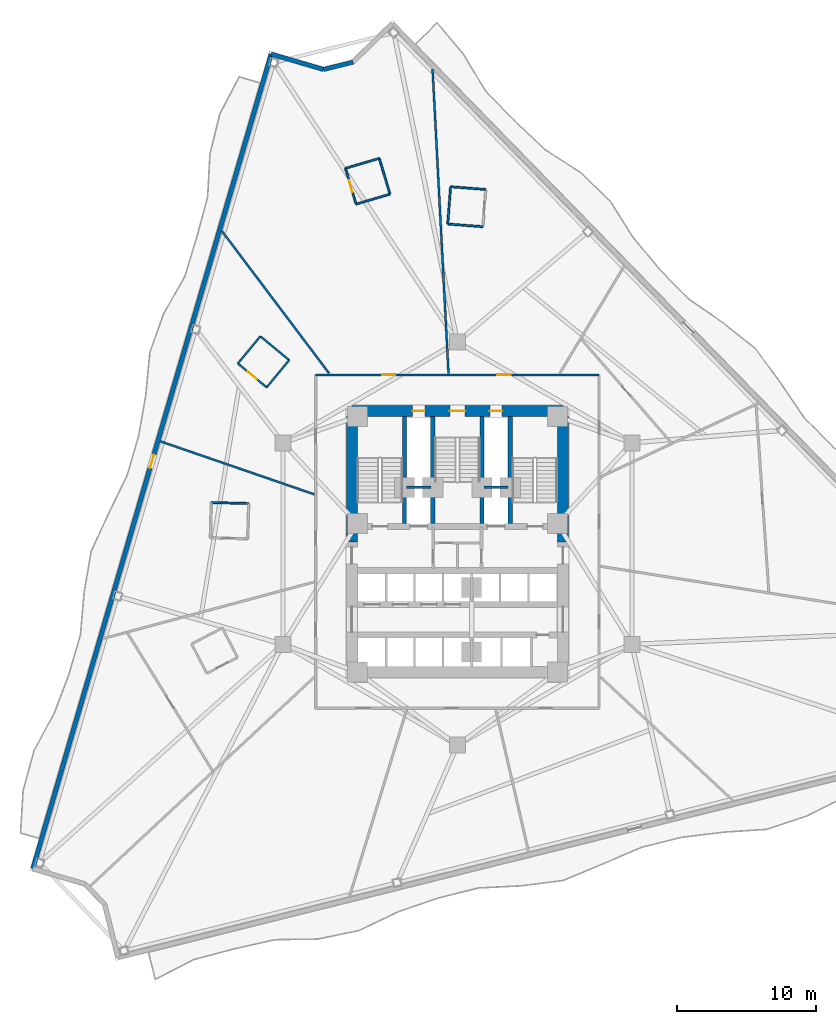
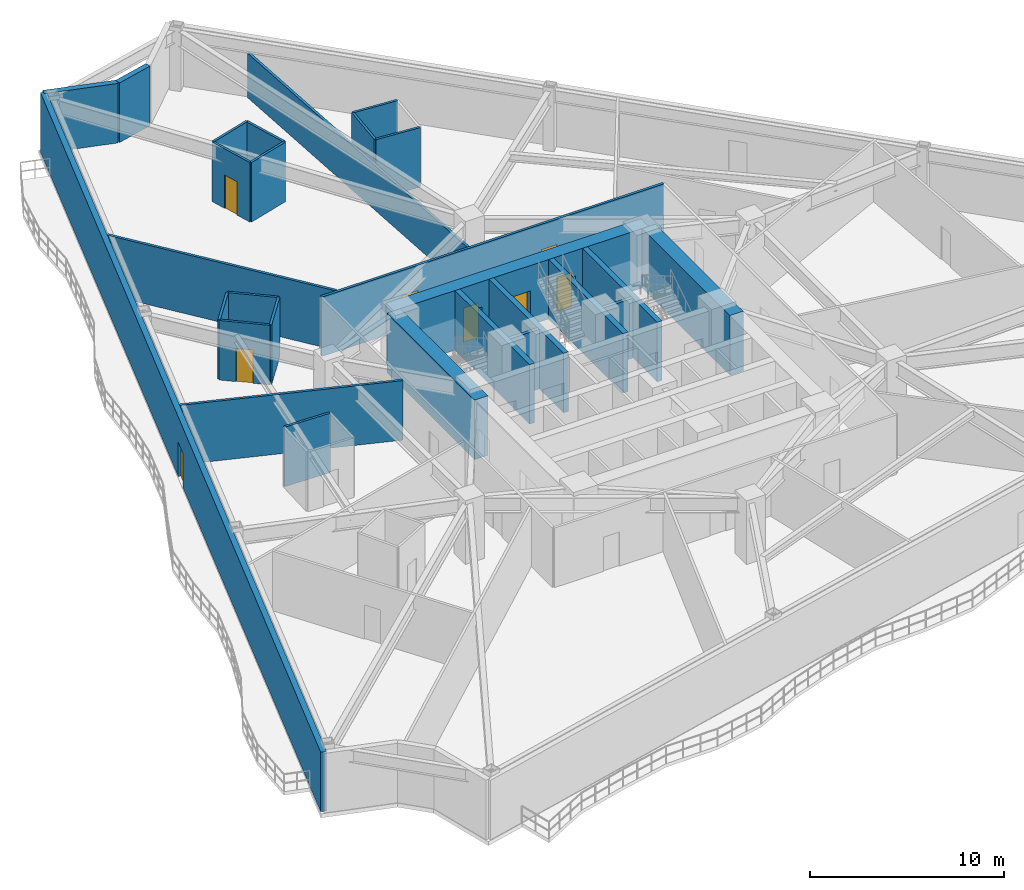
# One storey, part 5 of 10: 28 walls, 8 doors, 8 openings.
"""IFC4 building model written with IfcOpenShell, lengths in metres."""

from ifc_helpers import new_model, si_unit, direction, frame, frame_2d, origin, place, context, subcontext, project, spatial, rectangle, extrude, material, layer, layer_set, type_object, element, fill, save


model = new_model("IFC4")

# Units and contexts
model_context = context("Model", 3, precision=1e-05, world=origin(), true_north=direction((0.0, 1.0)))
body_context = subcontext(model_context, "Body", "Model", "MODEL_VIEW")
ifc_project = project(units=[si_unit("LENGTHUNIT", "METRE"), si_unit("AREAUNIT", "SQUARE_METRE"), si_unit("VOLUMEUNIT", "CUBIC_METRE"), si_unit("PLANEANGLEUNIT", "RADIAN"), si_unit("MASSUNIT", "GRAM", prefix="KILO")], contexts=[model_context])

# Site, building, storey
site_placement = place(None, origin())
site = spatial("IfcSite", under=ifc_project, at=site_placement, CompositionType="ELEMENT")
building_placement = place(site_placement, origin())
building = spatial("IfcBuilding", under=site, at=building_placement, Name="Apsidion Concourse Tower", CompositionType="ELEMENT")
storey_placement = place(building_placement, frame((0.0, 0.0, 107.0)))
storey = spatial("IfcBuildingStorey", under=building, at=storey_placement, Name="L24", CompositionType="ELEMENT", Elevation=107.0)

# Wall, opening, door
ifc_material_1 = material(Name="Precast concrete C40/50", Category="concrete")
ifc_layer_1 = layer(ifc_material_1, 0.320068359375)
ifc_layer_set_1 = layer_set([ifc_layer_1], Name="Precast concrete C40/50")
wall_type_1 = type_object("IfcWallType", Name="WL-EXT-320", PredefinedType="STANDARD", material=ifc_layer_set_1)
wall_1_placement = place(storey_placement, frame((-30.55908203125, -23.389404296875, 0.0), z_axis=(0.0, 0.0, 1.0), x_axis=(0.280769703207, 0.95977516834, 0.0)))
wall_1 = element("IfcWall", 1, at=wall_1_placement, inside=storey, type_object=wall_type_1, Name="L24 Precast Stone Facade Wall 09", PredefinedType="STANDARD", context=body_context, shape_type="SweptSolid", body=[
    extrude(rectangle(XDim=61.07568359375, YDim=0.320068359375, at=frame_2d((30.537841796875, 0.0))), origin(), (0.0, 0.0, 1.0), 3.75),
])
opening_1_placement = place(wall_1_placement, frame((30.037841796875, 0.0, 0.0)))
opening_1 = element("IfcOpeningElement", 2, at=opening_1_placement, cuts=wall_1, Name="Opening D-T1L", PredefinedType="OPENING", context=body_context, shape_type="SweptSolid", body=[
    extrude(rectangle(XDim=1.0, YDim=2.14990234375, at=frame_2d((0.5, 1.074951171875))), frame((0.0, 0.169921875, 0.0), z_axis=(0.0, -1.0, 0.0), x_axis=(1.0, 0.0, 0.0)), (0.0, 0.0, 1.0), 0.340087890625),
])
ifc_material_2 = material(Name="Anodised aluminium EN AW-6063 T6", Category="aluminium")
door_type_1 = type_object("IfcDoorType", Name="DR-TER-1022L", OperationType="SINGLE_SWING_LEFT", PredefinedType="DOOR", material=ifc_material_2)
door_1_placement = place(opening_1_placement, origin())
door_1 = element("IfcDoor", 3, at=door_1_placement, inside=storey, type_object=door_type_1, Name="L24 Balcony Access Door 1", OperationType="SINGLE_SWING_LEFT", OverallHeight=2.14990234375, OverallWidth=1.0, PredefinedType="DOOR", context=body_context, shape_type="SweptSolid", body=[
    extrude(rectangle(XDim=1.0, YDim=2.14990234375, at=frame_2d((0.5, 1.074951171875))), frame((0.0, 0.02490234375, 0.0), z_axis=(0.0, -1.0, 0.0), x_axis=(1.0, 0.0, 0.0)), (0.0, 0.0, 1.0), 0.050048828125),
])
fill(opening_1, door_1)

# Walls
wall_2_placement = place(storey_placement, frame((-13.410888671875, 35.2294921875, 0.0), z_axis=(0.0, 0.0, 1.0), x_axis=(0.959788404321, -0.280724453747, 0.0)))
element("IfcWall", 4, at=wall_2_placement, inside=storey, type_object=wall_type_1, Name="L24 Precast Stone Facade Wall 10", PredefinedType="STANDARD", context=body_context, shape_type="SweptSolid", body=[
    extrude(rectangle(XDim=3.93359375, YDim=0.320068359375, at=frame_2d((1.966796875, 0.0))), origin(), (0.0, 0.0, 1.0), 3.75),
])
wall_3_placement = place(storey_placement, frame((-9.635498046875, 34.125244140625, 0.0), z_axis=(0.0, 0.0, 1.0), x_axis=(0.970306423964, 0.241878985475, 0.0)))
element("IfcWall", 5, at=wall_3_placement, inside=storey, type_object=wall_type_1, Name="L24 Precast Stone Facade Wall 11", PredefinedType="STANDARD", context=body_context, shape_type="SweptSolid", body=[
    extrude(rectangle(XDim=2.187255859375, YDim=0.320068359375, at=frame_2d((1.09375, 0.0))), origin(), (0.0, 0.0, 1.0), 3.75),
])
ifc_material_3 = material(Name="Gypsum plasterboard partition")
ifc_layer_2 = layer(ifc_material_3, 0.139892578125)
ifc_layer_set_2 = layer_set([ifc_layer_2], Name="Gypsum plasterboard partition")
wall_type_2 = type_object("IfcWallType", Name="WL-INT-PAR-140", PredefinedType="PARTITIONING", material=ifc_layer_set_2)
wall_4_placement = place(storey_placement, frame((2.04052734375, 25.48828125, 0.0), z_axis=(0.0, 0.0, 1.0), x_axis=(-0.997046564476, 0.076799402778, 0.0)))
element("IfcWall", 6, at=wall_4_placement, inside=storey, type_object=wall_type_2, Name="L24 Interior Partition WL-L24-POD-ENS07-S2", PredefinedType="PARTITIONING", context=body_context, shape_type="SweptSolid", body=[
    extrude(rectangle(XDim=2.5400390625, YDim=0.139892578125, at=frame_2d((1.27001953125, 0.0))), origin(), (0.0, 0.0, 1.0), 3.75),
])
wall_5_placement = place(storey_placement, frame((-0.491943359375, 25.683349609375, 0.0), z_axis=(0.0, 0.0, 1.0), x_axis=(-0.076689558651, -0.997055019341, 0.0)))
element("IfcWall", 7, at=wall_5_placement, inside=storey, type_object=wall_type_2, Name="L24 Interior Partition WL-L24-POD-ENS07-S3", PredefinedType="PARTITIONING", context=body_context, shape_type="SweptSolid", body=[
    extrude(rectangle(XDim=2.68994140625, YDim=0.139892578125, at=frame_2d((1.344970703125, 0.0))), origin(), (0.0, 0.0, 1.0), 3.75),
])
wall_6_placement = place(storey_placement, frame((-0.6982421875, 23.001220703125, 0.0), z_axis=(0.0, 0.0, 1.0), x_axis=(0.997053920062, -0.076703849244, 0.0)))
element("IfcWall", 8, at=wall_6_placement, inside=storey, type_object=wall_type_2, Name="L24 Interior Partition WL-L24-POD-ENS07-S4", PredefinedType="PARTITIONING", context=body_context, shape_type="SweptSolid", body=[
    extrude(rectangle(XDim=2.5400390625, YDim=0.139892578125, at=frame_2d((1.27001953125, 0.0))), origin(), (0.0, 0.0, 1.0), 3.75),
])
wall_7_placement = place(storey_placement, frame((-4.85888671875, 25.152587890625, 0.0), z_axis=(0.0, 0.0, 1.0), x_axis=(-0.283973996327, 0.958831981846, 0.0)))
element("IfcWall", 9, at=wall_7_placement, inside=storey, type_object=wall_type_2, Name="L24 Interior Partition WL-L24-POD-ENS08-S1", PredefinedType="PARTITIONING", context=body_context, shape_type="SweptSolid", body=[
    extrude(rectangle(XDim=2.690185546875, YDim=0.139892578125, at=frame_2d((1.34521484375, 0.0))), origin(), (0.0, 0.0, 1.0), 3.75),
])
wall_8_placement = place(storey_placement, frame((-5.622802734375, 27.73193359375, 0.0), z_axis=(0.0, 0.0, 1.0), x_axis=(-0.95881265696, -0.284039238227, 0.0)))
element("IfcWall", 10, at=wall_8_placement, inside=storey, type_object=wall_type_2, Name="L24 Interior Partition WL-L24-POD-ENS08-S2", PredefinedType="PARTITIONING", context=body_context, shape_type="SweptSolid", body=[
    extrude(rectangle(XDim=2.539794921875, YDim=0.139892578125, at=frame_2d((1.27001953125, 0.0))), origin(), (0.0, 0.0, 1.0), 3.75),
])

# Wall, opening, door
wall_9_placement = place(storey_placement, frame((-8.05810546875, 27.010498046875, 0.0), z_axis=(0.0, 0.0, 1.0), x_axis=(0.283973996327, -0.958831981846, 0.0)))
wall_9 = element("IfcWall", 11, at=wall_9_placement, inside=storey, type_object=wall_type_2, Name="L24 Interior Partition WL-L24-POD-ENS08-S3", PredefinedType="PARTITIONING", context=body_context, shape_type="SweptSolid", body=[
    extrude(rectangle(XDim=2.690185546875, YDim=0.139892578125, at=frame_2d((1.34521484375, 0.0))), origin(), (0.0, 0.0, 1.0), 3.75),
])
opening_2_placement = place(wall_9_placement, frame((0.905029296875, 0.0, 0.0)))
opening_2 = element("IfcOpeningElement", 12, at=opening_2_placement, cuts=wall_9, Name="Opening D-03L", PredefinedType="OPENING", context=body_context, shape_type="SweptSolid", body=[
    extrude(rectangle(XDim=0.8798828125, YDim=2.10009765625, at=frame_2d((0.43994140625, 1.050048828125))), frame((0.0, 0.080078125, 0.0), z_axis=(0.0, -1.0, 0.0), x_axis=(1.0, 0.0, 0.0)), (0.0, 0.0, 1.0), 0.159912109375),
])
door_type_2 = type_object("IfcDoorType", Name="DR-INT-D03L", OperationType="SINGLE_SWING_LEFT", PredefinedType="DOOR", material=ifc_material_2)
door_2_placement = place(opening_2_placement, origin())
door_2 = element("IfcDoor", 13, at=door_2_placement, inside=storey, type_object=door_type_2, Name="L24 Guest En-Suite Bathroom Door ENS08", OperationType="SINGLE_SWING_LEFT", OverallHeight=2.10009765625, OverallWidth=0.8798828125, PredefinedType="DOOR", context=body_context, shape_type="SweptSolid", body=[
    extrude(rectangle(XDim=0.8798828125, YDim=2.10009765625, at=frame_2d((0.43994140625, 1.050048828125))), frame((0.0, 0.02490234375, 0.0), z_axis=(0.0, -1.0, 0.0), x_axis=(1.0, 0.0, 0.0)), (0.0, 0.0, 1.0), 0.050048828125),
])
fill(opening_2, door_2)

# Walls
wall_10_placement = place(storey_placement, frame((-7.294189453125, 24.43115234375, 0.0), z_axis=(0.0, 0.0, 1.0), x_axis=(0.95881265696, 0.284039238227, 0.0)))
element("IfcWall", 14, at=wall_10_placement, inside=storey, type_object=wall_type_2, Name="L24 Interior Partition WL-L24-POD-ENS08-S4", PredefinedType="PARTITIONING", context=body_context, shape_type="SweptSolid", body=[
    extrude(rectangle(XDim=2.539794921875, YDim=0.139892578125, at=frame_2d((1.27001953125, 0.0))), origin(), (0.0, 0.0, 1.0), 3.75),
])
wall_11_placement = place(storey_placement, frame((-12.110107421875, 13.20654296875, 0.0), z_axis=(0.0, 0.0, 1.0), x_axis=(-0.770537260361, 0.637394956362, 0.0)))
element("IfcWall", 15, at=wall_11_placement, inside=storey, type_object=wall_type_2, Name="L24 Interior Partition WL-L24-POD-ENS09-S1", PredefinedType="PARTITIONING", context=body_context, shape_type="SweptSolid", body=[
    extrude(rectangle(XDim=2.68994140625, YDim=0.139892578125, at=frame_2d((1.344970703125, 0.0))), origin(), (0.0, 0.0, 1.0), 3.75),
])
wall_12_placement = place(storey_placement, frame((-14.182861328125, 14.921142578125, 0.0), z_axis=(0.0, 0.0, 1.0), x_axis=(-0.63745754777, -0.770485479935, 0.0)))
element("IfcWall", 16, at=wall_12_placement, inside=storey, type_object=wall_type_2, Name="L24 Interior Partition WL-L24-POD-ENS09-S2", PredefinedType="PARTITIONING", context=body_context, shape_type="SweptSolid", body=[
    extrude(rectangle(XDim=2.5400390625, YDim=0.139892578125, at=frame_2d((1.27001953125, 0.0))), origin(), (0.0, 0.0, 1.0), 3.75),
])

# Wall, opening, door
wall_13_placement = place(storey_placement, frame((-15.802001953125, 12.964111328125, 0.0), z_axis=(0.0, 0.0, 1.0), x_axis=(0.770537260361, -0.637394956362, 0.0)))
wall_13 = element("IfcWall", 17, at=wall_13_placement, inside=storey, type_object=wall_type_2, Name="L24 Interior Partition WL-L24-POD-ENS09-S3", PredefinedType="PARTITIONING", context=body_context, shape_type="SweptSolid", body=[
    extrude(rectangle(XDim=2.68994140625, YDim=0.139892578125, at=frame_2d((1.344970703125, 0.0))), origin(), (0.0, 0.0, 1.0), 3.75),
])
opening_3_placement = place(wall_13_placement, frame((0.905029296875, 0.0, 0.0)))
opening_3 = element("IfcOpeningElement", 18, at=opening_3_placement, cuts=wall_13, Name="Opening D-03R", PredefinedType="OPENING", context=body_context, shape_type="SweptSolid", body=[
    extrude(rectangle(XDim=0.8798828125, YDim=2.10009765625, at=frame_2d((0.43994140625, 1.050048828125))), frame((0.0, 0.080078125, 0.0), z_axis=(0.0, -1.0, 0.0), x_axis=(1.0, 0.0, 0.0)), (0.0, 0.0, 1.0), 0.159912109375),
])
door_type_3 = type_object("IfcDoorType", Name="DR-INT-D03R", OperationType="SINGLE_SWING_RIGHT", PredefinedType="DOOR", material=ifc_material_2)
door_3_placement = place(opening_3_placement, origin())
door_3 = element("IfcDoor", 19, at=door_3_placement, inside=storey, type_object=door_type_3, Name="L24 Guest En-Suite Bathroom Door ENS09", OperationType="SINGLE_SWING_RIGHT", OverallHeight=2.10009765625, OverallWidth=0.8798828125, PredefinedType="DOOR", context=body_context, shape_type="SweptSolid", body=[
    extrude(rectangle(XDim=0.8798828125, YDim=2.10009765625, at=frame_2d((0.43994140625, 1.050048828125))), frame((0.0, 0.02490234375, 0.0), z_axis=(0.0, -1.0, 0.0), x_axis=(1.0, 0.0, 0.0)), (0.0, 0.0, 1.0), 0.050048828125),
])
fill(opening_3, door_3)

# Walls
wall_14_placement = place(storey_placement, frame((-13.729248046875, 11.24951171875, 0.0), z_axis=(0.0, 0.0, 1.0), x_axis=(0.63745754777, 0.770485479935, 0.0)))
element("IfcWall", 20, at=wall_14_placement, inside=storey, type_object=wall_type_2, Name="L24 Interior Partition WL-L24-POD-ENS09-S4", PredefinedType="PARTITIONING", context=body_context, shape_type="SweptSolid", body=[
    extrude(rectangle(XDim=2.5400390625, YDim=0.139892578125, at=frame_2d((1.27001953125, 0.0))), origin(), (0.0, 0.0, 1.0), 3.75),
])
wall_15_placement = place(storey_placement, frame((-15.022216796875, 2.884521484375, 0.0), z_axis=(0.0, 0.0, 1.0), x_axis=(-0.999609225093, 0.027953481145, 0.0)))
element("IfcWall", 21, at=wall_15_placement, inside=storey, type_object=wall_type_2, Name="L24 Interior Partition WL-L24-POD-ENS10-S1", PredefinedType="PARTITIONING", context=body_context, shape_type="SweptSolid", body=[
    extrude(rectangle(XDim=2.68994140625, YDim=0.139892578125, at=frame_2d((1.344970703125, 0.0))), origin(), (0.0, 0.0, 1.0), 3.75),
])

# Wall, openings, doors
ifc_layer_3 = layer(ifc_material_3, 0.14990234375)
ifc_layer_set_3 = layer_set([ifc_layer_3], Name="Gypsum plasterboard partition")
wall_type_3 = type_object("IfcWallType", Name="WL-INT-PAR-150", PredefinedType="PARTITIONING", material=ifc_layer_set_3)
wall_16_placement = place(storey_placement, frame((-10.199951171875, 12.14990234375, 0.0), z_axis=(0.0, 0.0, 1.0), x_axis=(1.0, 0.0, 0.0)))
wall_16 = element("IfcWall", 22, at=wall_16_placement, inside=storey, type_object=wall_type_3, Name="L24 Interior Partition WL-L24-CORR-01", PredefinedType="PARTITIONING", context=body_context, shape_type="SweptSolid", body=[
    extrude(rectangle(XDim=20.39990234375, YDim=0.14990234375, at=frame_2d((10.199951171875, 0.0))), origin(), (0.0, 0.0, 1.0), 3.75),
])
opening_4_placement = place(wall_16_placement, frame((13.080810546875, 0.0, 0.0)))
opening_4 = element("IfcOpeningElement", 23, at=opening_4_placement, cuts=wall_16, Name="Opening D-01R", PredefinedType="OPENING", context=body_context, shape_type="SweptSolid", body=[
    extrude(rectangle(XDim=0.949951171875, YDim=2.14990234375, at=frame_2d((0.47509765625, 1.074951171875))), frame((0.0, 0.0849609375, 0.0), z_axis=(0.0, -1.0, 0.0), x_axis=(1.0, 0.0, 0.0)), (0.0, 0.0, 1.0), 0.169921875),
])
opening_5_placement = place(wall_16_placement, frame((4.7880859375, 0.0, 0.0)))
opening_5 = element("IfcOpeningElement", 24, at=opening_5_placement, cuts=wall_16, Name="Opening D-01L", PredefinedType="OPENING", context=body_context, shape_type="SweptSolid", body=[
    extrude(rectangle(XDim=0.949951171875, YDim=2.14990234375, at=frame_2d((0.47509765625, 1.074951171875))), frame((0.0, 0.0849609375, 0.0), z_axis=(0.0, -1.0, 0.0), x_axis=(1.0, 0.0, 0.0)), (0.0, 0.0, 1.0), 0.169921875),
])
ifc_material_4 = material(Name="Brushed stainless steel 316", Category="steel")
door_type_4 = type_object("IfcDoorType", Name="DR-INT-D01L", OperationType="SINGLE_SWING_LEFT", PredefinedType="DOOR", material=ifc_material_4)
door_4_placement = place(opening_5_placement, origin())
door_4 = element("IfcDoor", 25, at=door_4_placement, inside=storey, type_object=door_type_4, Name="L24 Corridor Entry Door 09", OperationType="SINGLE_SWING_LEFT", OverallHeight=2.14990234375, OverallWidth=0.949951171875, PredefinedType="DOOR", context=body_context, shape_type="SweptSolid", body=[
    extrude(rectangle(XDim=0.949951171875, YDim=2.14990234375, at=frame_2d((0.47509765625, 1.074951171875))), frame((0.0, 0.02490234375, 0.0), z_axis=(0.0, -1.0, 0.0), x_axis=(1.0, 0.0, 0.0)), (0.0, 0.0, 1.0), 0.050048828125),
])
fill(opening_5, door_4)
door_type_5 = type_object("IfcDoorType", Name="DR-INT-D01R", OperationType="SINGLE_SWING_RIGHT", PredefinedType="DOOR", material=ifc_material_4)
door_5_placement = place(opening_4_placement, origin())
door_5 = element("IfcDoor", 26, at=door_5_placement, inside=storey, type_object=door_type_5, Name="L24 Corridor Entry Door 08", OperationType="SINGLE_SWING_RIGHT", OverallHeight=2.14990234375, OverallWidth=0.949951171875, PredefinedType="DOOR", context=body_context, shape_type="SweptSolid", body=[
    extrude(rectangle(XDim=0.949951171875, YDim=2.14990234375, at=frame_2d((0.47509765625, 1.074951171875))), frame((0.0, 0.02490234375, 0.0), z_axis=(0.0, -1.0, 0.0), x_axis=(1.0, 0.0, 0.0)), (0.0, 0.0, 1.0), 0.050048828125),
])
fill(opening_4, door_5)

# Walls
wall_17_placement = place(storey_placement, frame((-0.642333984375, 12.2548828125, 0.0), z_axis=(0.0, 0.0, 1.0), x_axis=(-0.052336972547, 0.998629481492, 0.0)))
element("IfcWall", 27, at=wall_17_placement, inside=storey, type_object=wall_type_3, Name="L24 Interior Partition WL-L24-RAD-03-1", PredefinedType="PARTITIONING", context=body_context, shape_type="SweptSolid", body=[
    extrude(rectangle(XDim=21.94775390625, YDim=0.14990234375, at=frame_2d((10.973876953125, 0.0))), origin(), (0.0, 0.0, 1.0), 2.798095703125),
])
wall_18_placement = place(storey_placement, frame((-9.23486328125, 12.2548828125, 0.0), z_axis=(0.0, 0.0, 1.0), x_axis=(-0.60180765782, 0.79864106017, 0.0)))
element("IfcWall", 28, at=wall_18_placement, inside=storey, type_object=wall_type_3, Name="L24 Interior Partition WL-L24-RAD-04-1", PredefinedType="PARTITIONING", context=body_context, shape_type="SweptSolid", body=[
    extrude(rectangle(XDim=12.8251953125, YDim=0.14990234375, at=frame_2d((6.41259765625, 0.0))), origin(), (0.0, 0.0, 1.0), 3.75),
])
wall_19_placement = place(storey_placement, frame((-10.304931640625, 3.54833984375, 0.0), z_axis=(0.0, 0.0, 1.0), x_axis=(-0.945517077529, 0.325572505138, 0.0)))
element("IfcWall", 29, at=wall_19_placement, inside=storey, type_object=wall_type_3, Name="L24 Interior Partition WL-L24-RAD-05-1", PredefinedType="PARTITIONING", context=body_context, shape_type="SweptSolid", body=[
    extrude(rectangle(XDim=11.7138671875, YDim=0.14990234375, at=frame_2d((5.85693359375, 0.0))), origin(), (0.0, 0.0, 1.0), 3.75),
])
ifc_layer_4 = layer(ifc_material_3, 0.199951171875)
ifc_layer_set_4 = layer_set([ifc_layer_4], Name="Gypsum plasterboard partition")
wall_type_4 = type_object("IfcWallType", Name="WL-INT-PAR-200", PredefinedType="PARTITIONING", material=ifc_layer_set_4)
for number, where, z_axis, x_axis, name in (
    (30, (-3.64990234375, 4.050048828125, 0.0), (0.0, 0.0, 1.0), (1.0, 0.0, 0.0), "L24 Interior Partition WL-L24-FF1-N"),
    (31, (1.919921875, 4.050048828125, 0.0), (0.0, 0.0, 1.0), (1.0, 0.0, 0.0), "L24 Interior Partition WL-L24-FF2-N"),
):
    element("IfcWall", number, at=place(storey_placement, frame(where, z_axis=z_axis, x_axis=x_axis)), inside=storey, type_object=wall_type_4, Name=name, PredefinedType="PARTITIONING", context=body_context, shape_type="SweptSolid", body=[
        extrude(rectangle(XDim=1.72998046875, YDim=0.199951171875, at=frame_2d((0.864990234375, 0.0))), origin(), (0.0, 0.0, 1.0), 3.75),
    ])
ifc_material_5 = material(Name="Concrete C50/60", Category="concrete")
ifc_layer_5 = layer(ifc_material_5, 0.300048828125)
ifc_layer_set_5 = layer_set([ifc_layer_5], Name="Concrete C50/60")
wall_type_5 = type_object("IfcWallType", Name="WL-SH-300", PredefinedType="SHEAR", material=ifc_layer_set_5)
for number, where, z_axis, x_axis, name in (
    (32, (-3.800048828125, 1.449951171875, 0.0), (0.0, 0.0, 1.0), (0.0, 1.0, 0.0), "L24 Central Core Shear Wall V1"),
    (33, (-1.77490234375, 1.449951171875, 0.0), (0.0, 0.0, 1.0), (0.0, 1.0, 0.0), "L24 Central Core Shear Wall V2"),
    (34, (1.77490234375, 1.449951171875, 0.0), (0.0, 0.0, 1.0), (0.0, 1.0, 0.0), "L24 Central Core Shear Wall V3"),
    (35, (3.800048828125, 1.449951171875, 0.0), (0.0, 0.0, 1.0), (0.0, 1.0, 0.0), "L24 Central Core Shear Wall V4"),
):
    element("IfcWall", number, at=place(storey_placement, frame(where, z_axis=z_axis, x_axis=x_axis)), inside=storey, type_object=wall_type_5, Name=name, PredefinedType="SHEAR", context=body_context, shape_type="SweptSolid", body=[
        extrude(rectangle(XDim=7.699951171875, YDim=0.300048828125, at=frame_2d((3.85009765625, 0.0))), origin(), (0.0, 0.0, 1.0), 3.75),
    ])

# Wall, openings, doors
ifc_material_6 = material(Name="Concrete C60/75", Category="concrete")
ifc_layer_6 = layer(ifc_material_6, 0.800048828125)
ifc_layer_set_6 = layer_set([ifc_layer_6], Name="Concrete C60/75")
wall_type_6 = type_object("IfcWallType", Name="WL-SH-800", PredefinedType="SHEAR", material=ifc_layer_set_6)
wall_20_placement = place(storey_placement, frame((-7.60009765625, 9.550048828125, 0.0), z_axis=(0.0, 0.0, 1.0), x_axis=(1.0, 0.0, 0.0)))
wall_20 = element("IfcWall", 36, at=wall_20_placement, inside=storey, type_object=wall_type_6, Name="L24 Central Core Shear Wall N", PredefinedType="SHEAR", context=body_context, shape_type="SweptSolid", body=[
    extrude(rectangle(XDim=15.2001953125, YDim=0.800048828125, at=frame_2d((7.60009765625, 0.0))), origin(), (0.0, 0.0, 1.0), 3.75),
])
opening_6_placement = place(wall_20_placement, frame((7.050048828125, 0.0, 0.0)))
opening_6 = element("IfcOpeningElement", 37, at=opening_6_placement, cuts=wall_20, Name="Opening D-STL", PredefinedType="OPENING", context=body_context, shape_type="SweptSolid", body=[
    extrude(rectangle(XDim=1.10009765625, YDim=2.14990234375, at=frame_2d((0.550048828125, 1.074951171875))), frame((0.0, 0.41015625, 0.0), z_axis=(0.0, -1.0, 0.0), x_axis=(1.0, 0.0, 0.0)), (0.0, 0.0, 1.0), 0.820068359375),
])
opening_7_placement = place(wall_20_placement, frame((4.3798828125, 0.0, 0.0)))
opening_7 = element("IfcOpeningElement", 38, at=opening_7_placement, cuts=wall_20, Name="Opening D-05L", PredefinedType="OPENING", context=body_context, shape_type="SweptSolid", body=[
    extrude(rectangle(XDim=0.8798828125, YDim=2.14990234375, at=frame_2d((0.43994140625, 1.074951171875))), frame((0.0, 0.41015625, 0.0), z_axis=(0.0, -1.0, 0.0), x_axis=(1.0, 0.0, 0.0)), (0.0, 0.0, 1.0), 0.820068359375),
])
opening_8_placement = place(wall_20_placement, frame((9.93994140625, 0.0, 0.0)))
opening_8 = element("IfcOpeningElement", 39, at=opening_8_placement, cuts=wall_20, Name="Opening D-05R", PredefinedType="OPENING", context=body_context, shape_type="SweptSolid", body=[
    extrude(rectangle(XDim=0.8798828125, YDim=2.14990234375, at=frame_2d((0.43994140625, 1.074951171875))), frame((0.0, 0.41015625, 0.0), z_axis=(0.0, -1.0, 0.0), x_axis=(1.0, 0.0, 0.0)), (0.0, 0.0, 1.0), 0.820068359375),
])
door_type_6 = type_object("IfcDoorType", Name="DR-INT-D05L", OperationType="SINGLE_SWING_LEFT", PredefinedType="DOOR", material=ifc_material_4)
door_6_placement = place(opening_7_placement, origin())
door_6 = element("IfcDoor", 40, at=door_6_placement, inside=storey, type_object=door_type_6, Name="L24 Electrical Riser Shaft Access Door", OperationType="SINGLE_SWING_LEFT", OverallHeight=2.14990234375, OverallWidth=0.8798828125, PredefinedType="DOOR", context=body_context, shape_type="SweptSolid", body=[
    extrude(rectangle(XDim=0.8798828125, YDim=2.14990234375, at=frame_2d((0.43994140625, 1.074951171875))), frame((0.0, 0.02490234375, 0.0), z_axis=(0.0, -1.0, 0.0), x_axis=(1.0, 0.0, 0.0)), (0.0, 0.0, 1.0), 0.050048828125),
])
fill(opening_7, door_6)
door_type_7 = type_object("IfcDoorType", Name="DR-INT-D05R", OperationType="SINGLE_SWING_RIGHT", PredefinedType="DOOR", material=ifc_material_4)
door_7_placement = place(opening_8_placement, origin())
door_7 = element("IfcDoor", 41, at=door_7_placement, inside=storey, type_object=door_type_7, Name="L24 Mechanical Riser Shaft Access Door", OperationType="SINGLE_SWING_RIGHT", OverallHeight=2.14990234375, OverallWidth=0.8798828125, PredefinedType="DOOR", context=body_context, shape_type="SweptSolid", body=[
    extrude(rectangle(XDim=0.8798828125, YDim=2.14990234375, at=frame_2d((0.43994140625, 1.074951171875))), frame((0.0, 0.02490234375, 0.0), z_axis=(0.0, -1.0, 0.0), x_axis=(1.0, 0.0, 0.0)), (0.0, 0.0, 1.0), 0.050048828125),
])
fill(opening_8, door_7)
door_type_8 = type_object("IfcDoorType", Name="DR-INT-ST1L", OperationType="SINGLE_SWING_LEFT", PredefinedType="DOOR", material=ifc_material_4)
door_8_placement = place(opening_6_placement, origin())
door_8 = element("IfcDoor", 42, at=door_8_placement, inside=storey, type_object=door_type_8, Name="L24 Core Exit Stair ST3 Door", OperationType="SINGLE_SWING_LEFT", OverallHeight=2.14990234375, OverallWidth=1.10009765625, PredefinedType="DOOR", context=body_context, shape_type="SweptSolid", body=[
    extrude(rectangle(XDim=1.10009765625, YDim=2.14990234375, at=frame_2d((0.550048828125, 1.074951171875))), frame((0.0, 0.02490234375, 0.0), z_axis=(0.0, -1.0, 0.0), x_axis=(1.0, 0.0, 0.0)), (0.0, 0.0, 1.0), 0.050048828125),
])
fill(opening_6, door_8)

# Walls
for number, where, z_axis, x_axis, name in (
    (43, (-7.60009765625, 0.10009765625, 0.0), (0.0, 0.0, 1.0), (0.0, 1.0, 0.0), "L24 Central Core Shear Wall WN"),
    (44, (7.60009765625, 0.10009765625, 0.0), (0.0, 0.0, 1.0), (0.0, 1.0, 0.0), "L24 Central Core Shear Wall EN"),
):
    element("IfcWall", number, at=place(storey_placement, frame(where, z_axis=z_axis, x_axis=x_axis)), inside=storey, type_object=wall_type_6, Name=name, PredefinedType="SHEAR", context=body_context, shape_type="SweptSolid", body=[
        extrude(rectangle(XDim=9.0498046875, YDim=0.800048828125, at=frame_2d((4.52490234375, 0.0))), origin(), (0.0, 0.0, 1.0), 3.75),
    ])

save(model, "model.ifc")
